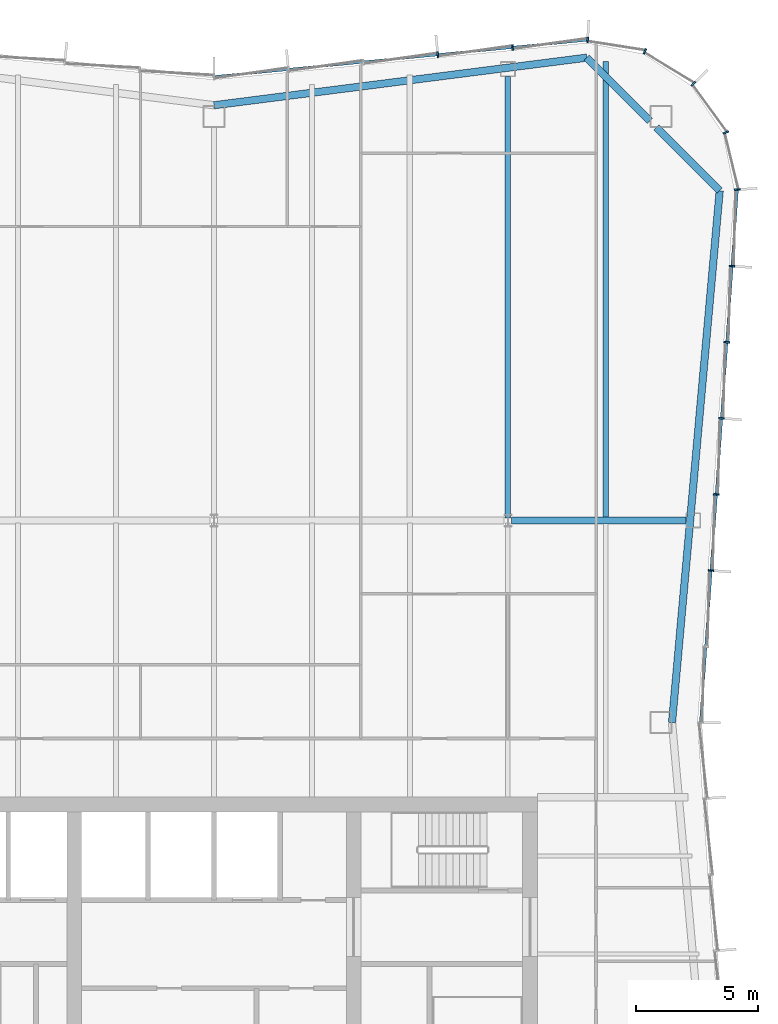
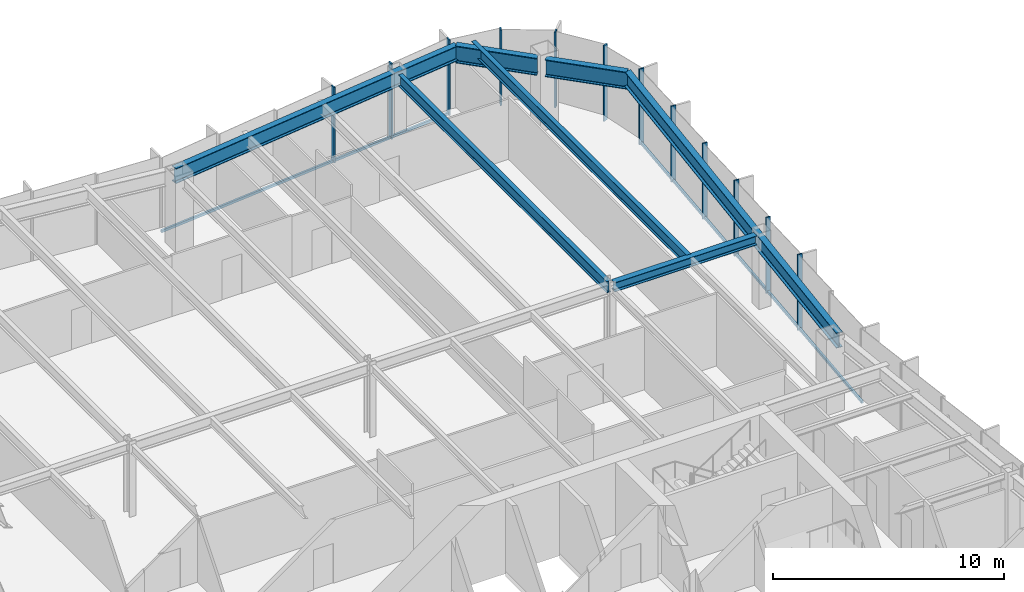
# One storey, part 7 of 13: 14 members, 7 beams, 3 elements without a shape of their own.
"""IFC4 building model written with IfcOpenShell, lengths in metres."""

from ifc_helpers import new_model, si_unit, direction, frame, origin, origin_2d, place, context, subcontext, project, spatial, rectangle, i_section, extrude, material, material_profile, profile_set, type_object, element, aggregate, save


model = new_model("IFC4")

# Units and contexts
model_context = context("Model", 3, precision=1e-05, world=origin(), true_north=direction((0.0, 1.0)))
body_context = subcontext(model_context, "Body", "Model", "MODEL_VIEW")
ifc_project = project(units=[si_unit("LENGTHUNIT", "METRE"), si_unit("AREAUNIT", "SQUARE_METRE"), si_unit("VOLUMEUNIT", "CUBIC_METRE"), si_unit("PLANEANGLEUNIT", "RADIAN"), si_unit("MASSUNIT", "GRAM", prefix="KILO")], contexts=[model_context])

# Site, building, storey
site_placement = place(None, origin())
site = spatial("IfcSite", under=ifc_project, at=site_placement, CompositionType="ELEMENT")
building_placement = place(site_placement, origin())
building = spatial("IfcBuilding", under=site, at=building_placement, Name="Verdant Reach Tower", CompositionType="ELEMENT")
storey_placement = place(building_placement, frame((0.0, 0.0, 330.0)))
storey = spatial("IfcBuildingStorey", under=building, at=storey_placement, Name="L76", CompositionType="ELEMENT", Elevation=330.0)

# Curtain wall, members
ifc_material_1 = material(Name="Anodised aluminium", Category="aluminium")
curtain_wall_type = type_object("IfcCurtainWallType", Name="EN-CW SYSTEM Z5", PredefinedType="NOTDEFINED", material=ifc_material_1)
curtain_wall_1_placement = place(storey_placement, origin())
curtain_wall_1 = element("IfcCurtainWall", 1, at=curtain_wall_1_placement, inside=storey, type_object=curtain_wall_type, Name="Curtain wall east, L76", PredefinedType="NOTDEFINED")
ifc_material_profile_1 = material_profile(ifc_material_1, rectangle(XDim=0.22998046875, YDim=0.070068359375, at=origin_2d()), Name="Mullion 70x230")
ifc_profile_set_1 = profile_set([ifc_material_profile_1], Name="Anodised aluminium")
member_type_1 = type_object("IfcMemberType", Name="EN-MULLION Z5", PredefinedType="MULLION", material=ifc_profile_set_1)
member_1_placement = place(storey_placement, frame((20.293212890625, 47.456298828125, -0.35009765625), z_axis=(0.0, 0.0, 1.0), x_axis=(0.997630328423, -0.068802091615, 0.0)))
member_1 = element("IfcMember", 2, at=member_1_placement, type_object=member_type_1, Name="Mullion east face part 2 3, L76", PredefinedType="MULLION", context=body_context, shape_type="SweptSolid", body=[
    extrude(rectangle(XDim=0.22998046875, YDim=0.070068359375, at=origin_2d()), origin(), (0.0, 0.0, 1.0), 4.0),
])
member_2_placement = place(storey_placement, frame((20.507568359375, 50.5634765625, -0.35009765625), z_axis=(0.0, 0.0, 1.0), x_axis=(0.997630328423, -0.068802091615, 0.0)))
member_2 = element("IfcMember", 3, at=member_2_placement, type_object=member_type_1, Name="Mullion east face part 2 4, L76", PredefinedType="MULLION", context=body_context, shape_type="SweptSolid", body=[
    extrude(rectangle(XDim=0.22998046875, YDim=0.070068359375, at=origin_2d()), origin(), (0.0, 0.0, 1.0), 4.0),
])
member_3_placement = place(storey_placement, frame((20.721923828125, 53.670654296875, -0.35009765625), z_axis=(0.0, 0.0, 1.0), x_axis=(0.997630328423, -0.068802091615, 0.0)))
member_3 = element("IfcMember", 4, at=member_3_placement, type_object=member_type_1, Name="Mullion east face part 2 5, L76", PredefinedType="MULLION", context=body_context, shape_type="SweptSolid", body=[
    extrude(rectangle(XDim=0.22998046875, YDim=0.070068359375, at=origin_2d()), origin(), (0.0, 0.0, 1.0), 4.0),
])
member_4_placement = place(storey_placement, frame((20.93603515625, 56.77783203125, -0.35009765625), z_axis=(0.0, 0.0, 1.0), x_axis=(0.997630328423, -0.068802091615, 0.0)))
member_4 = element("IfcMember", 5, at=member_4_placement, type_object=member_type_1, Name="Mullion east face part 2 6, L76", PredefinedType="MULLION", context=body_context, shape_type="SweptSolid", body=[
    extrude(rectangle(XDim=0.22998046875, YDim=0.070068359375, at=origin_2d()), origin(), (0.0, 0.0, 1.0), 4.0),
])
member_5_placement = place(storey_placement, frame((21.150390625, 59.885009765625, -0.35009765625), z_axis=(0.0, 0.0, 1.0), x_axis=(0.997630328423, -0.068802091615, 0.0)))
member_5 = element("IfcMember", 6, at=member_5_placement, type_object=member_type_1, Name="Mullion east face part 2 7, L76", PredefinedType="MULLION", context=body_context, shape_type="SweptSolid", body=[
    extrude(rectangle(XDim=0.22998046875, YDim=0.070068359375, at=origin_2d()), origin(), (0.0, 0.0, 1.0), 4.0),
])

curtain_wall_2_placement = place(storey_placement, origin())
curtain_wall_2 = element("IfcCurtainWall", 7, at=curtain_wall_2_placement, inside=storey, type_object=curtain_wall_type, Name="Curtain wall north-east corner, L76", PredefinedType="NOTDEFINED")
member_6_placement = place(storey_placement, frame((21.36474609375, 63.00732421875, -0.35009765625), z_axis=(0.0, 0.0, 1.0), x_axis=(0.997969180898, 0.063698618332, 0.0)))
member_6 = element("IfcMember", 8, at=member_6_placement, type_object=member_type_1, Name="Mullion north-east corner 1, L76", PredefinedType="MULLION", context=body_context, shape_type="SweptSolid", body=[
    extrude(rectangle(XDim=0.22998046875, YDim=0.070068359375, at=origin_2d()), origin(), (0.0, 0.0, 1.0), 4.0),
])
member_7_placement = place(storey_placement, frame((20.899658203125, 65.340087890625, -0.35009765625), z_axis=(0.0, 0.0, 1.0), x_axis=(0.923875215753, 0.382693853776, 0.0)))
member_7 = element("IfcMember", 9, at=member_7_placement, type_object=member_type_1, Name="Mullion north-east corner 2, L76", PredefinedType="MULLION", context=body_context, shape_type="SweptSolid", body=[
    extrude(rectangle(XDim=0.22998046875, YDim=0.070068359375, at=origin_2d()), origin(), (0.0, 0.0, 1.0), 4.0),
])
member_8_placement = place(storey_placement, frame((19.573974609375, 67.323974609375, -0.35009765625), z_axis=(0.0, 0.0, 1.0), x_axis=(0.707106781187, 0.707106781187, 0.0)))
member_8 = element("IfcMember", 10, at=member_8_placement, type_object=member_type_1, Name="Mullion north-east corner 3, L76", PredefinedType="MULLION", context=body_context, shape_type="SweptSolid", body=[
    extrude(rectangle(XDim=0.22998046875, YDim=0.070068359375, at=origin_2d()), origin(), (0.0, 0.0, 1.0), 4.0),
])
member_9_placement = place(storey_placement, frame((17.590087890625, 68.649658203125, -0.35009765625), z_axis=(0.0, 0.0, 1.0), x_axis=(0.382693853776, 0.923875215753, 0.0)))
member_9 = element("IfcMember", 11, at=member_9_placement, type_object=member_type_1, Name="Mullion north-east corner 4, L76", PredefinedType="MULLION", context=body_context, shape_type="SweptSolid", body=[
    extrude(rectangle(XDim=0.22998046875, YDim=0.070068359375, at=origin_2d()), origin(), (0.0, 0.0, 1.0), 4.0),
])
aggregate(curtain_wall_2, [member_6, member_7, member_8, member_9])

curtain_wall_3_placement = place(storey_placement, origin())
curtain_wall_3 = element("IfcCurtainWall", 12, at=curtain_wall_3_placement, inside=storey, type_object=curtain_wall_type, Name="Curtain wall north, L76", PredefinedType="NOTDEFINED")
member_10_placement = place(storey_placement, frame((15.255615234375, 69.11474609375, -0.35009765625), z_axis=(0.0, 0.0, 1.0), x_axis=(0.049127596288, 0.998792510626, 0.0)))
member_10 = element("IfcMember", 13, at=member_10_placement, type_object=member_type_1, Name="Mullion north face part 1 1, L76", PredefinedType="MULLION", context=body_context, shape_type="SweptSolid", body=[
    extrude(rectangle(XDim=0.22998046875, YDim=0.070068359375, at=origin_2d()), origin(), (0.0, 0.0, 1.0), 4.0),
])
member_11_placement = place(storey_placement, frame((12.188720703125, 68.814453125, -0.35009765625), z_axis=(0.0, 0.0, 1.0), x_axis=(-0.09788826992, 0.995197410875, 0.0)))
member_11 = element("IfcMember", 14, at=member_11_placement, type_object=member_type_1, Name="Mullion north face part 1 2, L76", PredefinedType="MULLION", context=body_context, shape_type="SweptSolid", body=[
    extrude(rectangle(XDim=0.22998046875, YDim=0.070068359375, at=origin_2d()), origin(), (0.0, 0.0, 1.0), 4.0),
])
member_12_placement = place(storey_placement, frame((9.138671875, 68.514404296875, -0.35009765625), z_axis=(0.0, 0.0, 1.0), x_axis=(-0.09788826992, 0.995197410875, 0.0)))
member_12 = element("IfcMember", 15, at=member_12_placement, type_object=member_type_1, Name="Mullion north face part 1 3, L76", PredefinedType="MULLION", context=body_context, shape_type="SweptSolid", body=[
    extrude(rectangle(XDim=0.22998046875, YDim=0.070068359375, at=origin_2d()), origin(), (0.0, 0.0, 1.0), 4.0),
])

# Member
ifc_material_profile_2 = material_profile(ifc_material_1, rectangle(XDim=0.10009765625, YDim=0.1298828125, at=origin_2d()), Name="Transom 130x100")
ifc_profile_set_2 = profile_set([ifc_material_profile_2], Name="Anodised aluminium")
member_type_2 = type_object("IfcMemberType", Name="EN-TRANSOM Z5", PredefinedType="USERDEFINED", material=ifc_profile_set_2)
member_13_placement = place(storey_placement, frame((19.867431640625, 41.284912109375, -0.284912109375), z_axis=(0.068764705107, 0.997632906099, 0.0), x_axis=(-0.997632906099, 0.068764705107, 0.0)))
member_13 = element("IfcMember", 16, at=member_13_placement, type_object=member_type_2, Name="Transom east face part 2 1.1, L76", ObjectType="TRANSOM", PredefinedType="USERDEFINED", context=body_context, shape_type="SweptSolid", body=[
    extrude(rectangle(XDim=0.10009765625, YDim=0.1298828125, at=origin_2d()), origin(), (0.0, 0.0, 1.0), 21.739013671875),
])

aggregate(curtain_wall_1, [member_1, member_2, member_3, member_4, member_5, member_13])

member_14_placement = place(storey_placement, frame((15.220703125, 69.111328125, -0.284912109375), z_axis=(-0.99520229006, -0.097838652171, 0.0), x_axis=(0.097838652171, -0.99520229006, 0.0)))
member_14 = element("IfcMember", 17, at=member_14_placement, type_object=member_type_2, Name="Transom north face part 1 1.1, L76", ObjectType="TRANSOM", PredefinedType="USERDEFINED", context=body_context, shape_type="SweptSolid", body=[
    extrude(rectangle(XDim=0.10009765625, YDim=0.1298828125, at=origin_2d()), origin(), (0.0, 0.0, 1.0), 15.259033203125),
])

aggregate(curtain_wall_3, [member_10, member_11, member_12, member_14])

# Beams
ifc_material_2 = material(Name="Steel S355", Category="steel")
ifc_material_profile_3 = material_profile(ifc_material_2, i_section(OverallWidth=0.300048828125, OverallDepth=0.489990234375, WebThickness=0.011962890625, FlangeThickness=0.02294921875, FilletRadius=0.027099609375, at=origin_2d()), Name="HEA 500")
ifc_profile_set_3 = profile_set([ifc_material_profile_3], Name="Steel S355")
beam_type_1 = type_object("IfcBeamType", Name="ST-BEAM-HEA500", PredefinedType="BEAM", material=ifc_profile_set_3)
beam_1_placement = place(storey_placement, frame((12.153076171875, 49.5, 3.574951171875), z_axis=(1.0, 0.0, 0.0), x_axis=(0.0, 1.0, 0.0)))
element("IfcBeam", 18, at=beam_1_placement, inside=storey, type_object=beam_type_1, Name="Row girder, L76", PredefinedType="BEAM", context=body_context, shape_type="SweptSolid", body=[
    extrude(i_section(OverallWidth=0.300048828125, OverallDepth=0.489990234375, WebThickness=0.011962890625, FlangeThickness=0.02294921875, FilletRadius=0.027099609375, at=origin_2d()), origin(), (0.0, 0.0, 1.0), 7.115966796875),
])
ifc_material_profile_4 = material_profile(ifc_material_2, i_section(OverallWidth=0.219970703125, OverallDepth=0.60009765625, WebThickness=0.011962890625, FlangeThickness=0.01904296875, FilletRadius=0.02392578125, at=origin_2d()), Name="IPE 600")
ifc_profile_set_4 = profile_set([ifc_material_profile_4], Name="Steel S355")
beam_type_2 = type_object("IfcBeamType", Name="ST-JOIST-IPE600", PredefinedType="JOIST", material=ifc_profile_set_4)
beam_2_placement = place(storey_placement, frame((12.0, 49.60009765625, 3.52001953125), z_axis=(0.0, 1.0, 0.0), x_axis=(-1.0, 0.0, 0.0)))
element("IfcBeam", 19, at=beam_2_placement, inside=storey, type_object=beam_type_2, Name="Floor joist, L76", PredefinedType="JOIST", context=body_context, shape_type="SweptSolid", body=[
    extrude(i_section(OverallWidth=0.219970703125, OverallDepth=0.60009765625, WebThickness=0.011962890625, FlangeThickness=0.01904296875, FilletRadius=0.02392578125, at=origin_2d()), origin(), (0.0, 0.0, 1.0), 18.0302734375),
])
beam_3_placement = place(storey_placement, frame((16.0, 49.60009765625, 3.52001953125), z_axis=(0.0, 1.0, 0.0), x_axis=(-1.0, 0.0, 0.0)))
element("IfcBeam", 20, at=beam_3_placement, inside=storey, type_object=beam_type_2, Name="Floor joist, L76", PredefinedType="JOIST", context=body_context, shape_type="SweptSolid", body=[
    extrude(i_section(OverallWidth=0.219970703125, OverallDepth=0.60009765625, WebThickness=0.011962890625, FlangeThickness=0.01904296875, FilletRadius=0.02392578125, at=origin_2d()), origin(), (0.0, 0.0, 1.0), 18.638916015625),
])
ifc_material_profile_5 = material_profile(ifc_material_2, i_section(OverallWidth=0.300048828125, OverallDepth=0.800048828125, WebThickness=0.017578125, FlangeThickness=0.032958984375, FilletRadius=0.030029296875, at=origin_2d()), Name="HEB 800")
ifc_profile_set_5 = profile_set([ifc_material_profile_5], Name="Steel S355")
beam_type_3 = type_object("IfcBeamType", Name="ST-SPANDREL-HEB800", PredefinedType="SPANDREL", material=ifc_profile_set_5)
beam_4_placement = place(storey_placement, frame((0.0, 66.449951171875, 3.419921875), z_axis=(0.991938889669, 0.126717162063, 0.0), x_axis=(-0.126717162063, 0.991938889669, 0.0)))
element("IfcBeam", 21, at=beam_4_placement, inside=storey, type_object=beam_type_3, Name="Edge beam, L76", PredefinedType="SPANDREL", context=body_context, shape_type="SweptSolid", body=[
    extrude(i_section(OverallWidth=0.300048828125, OverallDepth=0.800048828125, WebThickness=0.017578125, FlangeThickness=0.032958984375, FilletRadius=0.030029296875, at=origin_2d()), origin(), (0.0, 0.0, 1.0), 15.343994140625),
])
beam_5_placement = place(storey_placement, frame((20.64599609375, 62.96142578125, 3.419921875), z_axis=(-0.089274399498, -0.996007069048, 0.0), x_axis=(0.996007069048, -0.089274399498, 0.0)))
element("IfcBeam", 22, at=beam_5_placement, inside=storey, type_object=beam_type_3, Name="Edge beam, L76", PredefinedType="SPANDREL", context=body_context, shape_type="SweptSolid", body=[
    extrude(i_section(OverallWidth=0.300048828125, OverallDepth=0.800048828125, WebThickness=0.017578125, FlangeThickness=0.032958984375, FilletRadius=0.030029296875, at=origin_2d()), origin(), (0.0, 0.0, 1.0), 21.798583984375),
])
ifc_material_profile_6 = material_profile(ifc_material_2, i_section(OverallWidth=0.302001953125, OverallDepth=0.909912109375, WebThickness=0.02099609375, FlangeThickness=0.0400390625, FilletRadius=0.030029296875, at=origin_2d()), Name="HEM 900")
ifc_profile_set_6 = profile_set([ifc_material_profile_6], Name="Steel S355")
beam_type_4 = type_object("IfcBeamType", Name="ST-SPANDREL-HEM900", PredefinedType="SPANDREL", material=ifc_profile_set_6)
beam_6_placement = place(storey_placement, frame((15.22021484375, 68.394287109375, 3.364990234375), z_axis=(0.706638520854, -0.707574731632, 0.0), x_axis=(0.707574731632, 0.706638520854, 0.0)))
element("IfcBeam", 23, at=beam_6_placement, inside=storey, type_object=beam_type_4, Name="Edge beam, L76", PredefinedType="SPANDREL", context=body_context, shape_type="SweptSolid", body=[
    extrude(i_section(OverallWidth=0.302001953125, OverallDepth=0.909912109375, WebThickness=0.02099609375, FlangeThickness=0.0400390625, FilletRadius=0.030029296875, at=origin_2d()), origin(), (0.0, 0.0, 1.0), 3.65087890625),
])
beam_7_placement = place(storey_placement, frame((18.060791015625, 65.550048828125, 3.364990234375), z_axis=(0.706639493403, -0.707573760369, 0.0), x_axis=(0.707573760369, 0.706639493403, 0.0)))
element("IfcBeam", 24, at=beam_7_placement, inside=storey, type_object=beam_type_4, Name="Edge beam, L76", PredefinedType="SPANDREL", context=body_context, shape_type="SweptSolid", body=[
    extrude(i_section(OverallWidth=0.302001953125, OverallDepth=0.909912109375, WebThickness=0.02099609375, FlangeThickness=0.0400390625, FilletRadius=0.030029296875, at=origin_2d()), origin(), (0.0, 0.0, 1.0), 3.658447265625),
])

save(model, "model.ifc")
